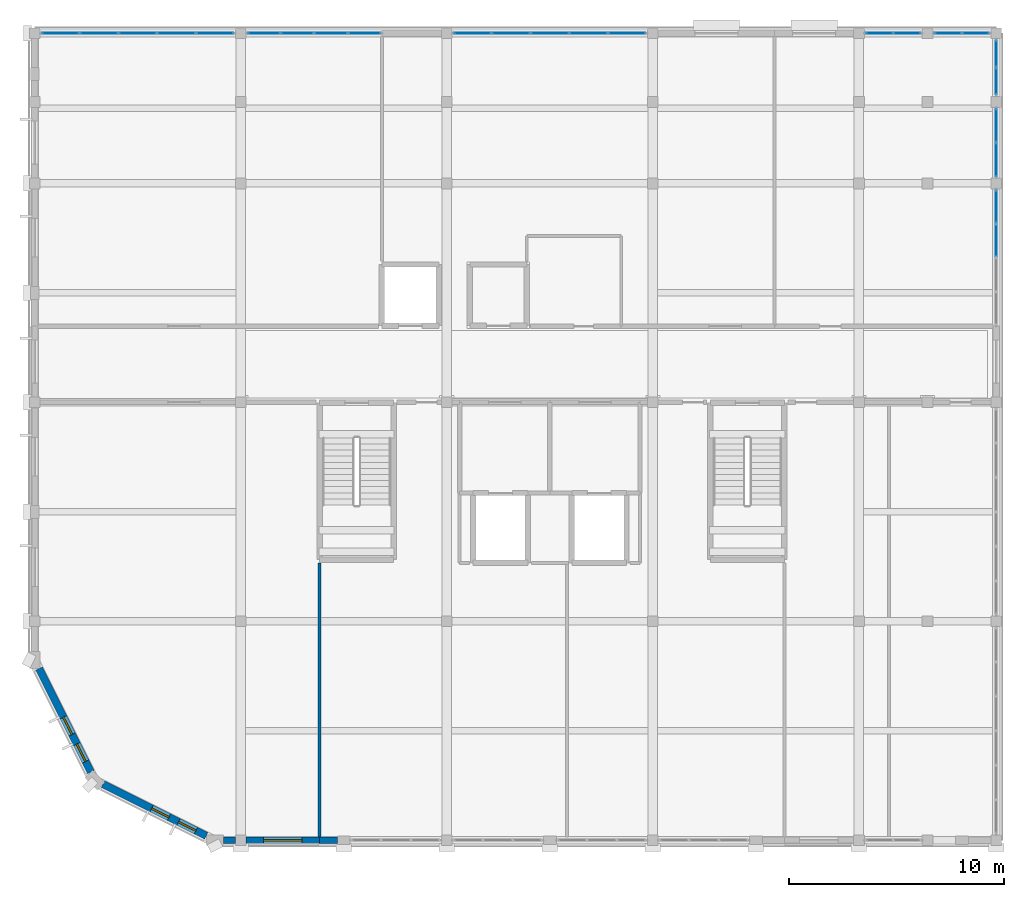
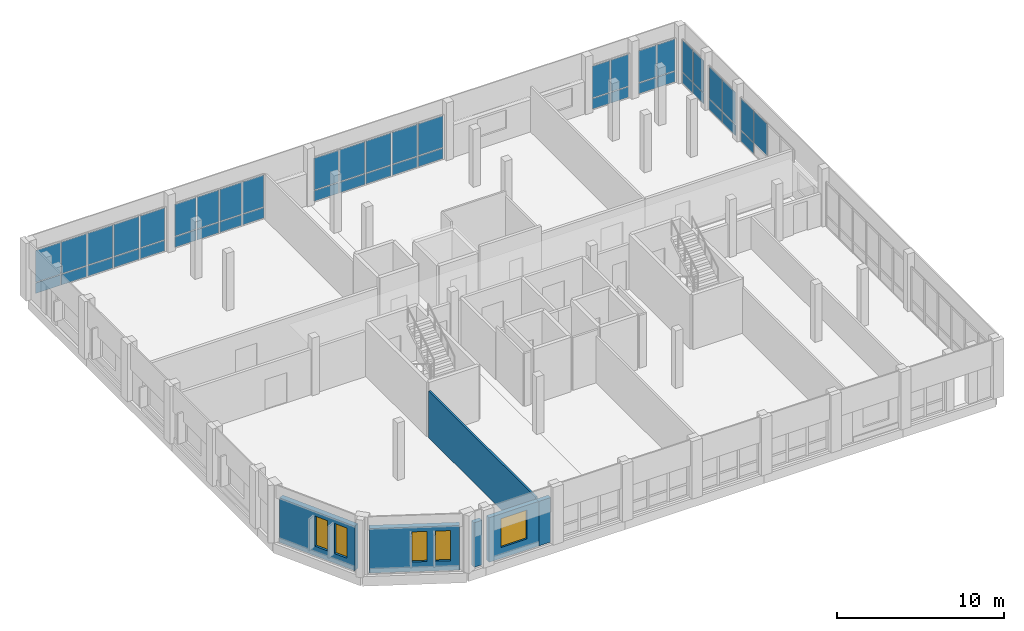
# One storey, part 20 of 29: 47 plates, 6 walls, 5 windows, 5 openings, 8 elements without a shape of their own.
"""IFC4 building model written with IfcOpenShell, lengths in metres."""

from ifc_helpers import new_model, si_unit, direction, frame, frame_2d, origin, origin_2d, place, context, subcontext, project, spatial, rectangle, extrude, material, layer, layer_set, type_object, element, fill, aggregate, save


model = new_model("IFC4")

# Units and contexts
model_context = context("Model", 3, precision=1e-05, world=origin(), true_north=direction((0.0, 1.0)))
body_context = subcontext(model_context, "Body", "Model", "MODEL_VIEW")
ifc_project = project(units=[si_unit("LENGTHUNIT", "METRE"), si_unit("AREAUNIT", "SQUARE_METRE"), si_unit("VOLUMEUNIT", "CUBIC_METRE"), si_unit("PLANEANGLEUNIT", "RADIAN"), si_unit("MASSUNIT", "GRAM", prefix="KILO")], contexts=[model_context])

# Site, building, storey
site_placement = place(None, origin())
site = spatial("IfcSite", under=ifc_project, at=site_placement, CompositionType="ELEMENT")
building_placement = place(site_placement, origin())
building = spatial("IfcBuilding", under=site, at=building_placement, Name="Vondelvale Polytechnic", CompositionType="ELEMENT")
storey_placement = place(building_placement, frame((0.0, 0.0, 26.39990234375)))
storey = spatial("IfcBuildingStorey", under=building, at=storey_placement, Name="L06", CompositionType="ELEMENT", Elevation=26.39990234375)

# Curtain wall, plates
ifc_material_1 = material(Name="Anodised extruded aluminium 6063-T6", Category="aluminium")
curtain_wall_type = type_object("IfcCurtainWallType", Name="CW-STUDIO-NORTH", PredefinedType="NOTDEFINED", material=ifc_material_1)
curtain_wall_1_placement = place(storey_placement, origin())
curtain_wall_1 = element("IfcCurtainWall", 1, at=curtain_wall_1_placement, inside=storey, type_object=curtain_wall_type, Name="L06 architectural curtain wall CW-01-050", PredefinedType="NOTDEFINED")
ifc_material_2 = material(Name="Double-glazed low-E insulated architectural glass", Category="glass")
ifc_layer_1 = layer(ifc_material_2, 0.028076171875)
ifc_layer_set_1 = layer_set([ifc_layer_1], Name="CW-PANEL-GLAZED")
plate_type_1 = type_object("IfcPlateType", Name="CW-PANEL-GLAZED", PredefinedType="CURTAIN_PANEL", material=ifc_layer_set_1)
plate_1_placement = place(storey_placement, frame((44.800048828125, 27.936767578125, 0.880126953125), z_axis=(0.0, 0.0, 1.0), x_axis=(0.0, 1.0, 0.0)))
plate_1 = element("IfcPlate", 2, at=plate_1_placement, type_object=plate_type_1, Name="CW-01-050 panel 3.2", PredefinedType="CURTAIN_PANEL", context=body_context, shape_type="SweptSolid", body=[
    extrude(rectangle(XDim=1.523681640625, YDim=0.028076171875, at=origin_2d()), origin(), (0.0, 0.0, 1.0), 2.31005859375),
])
plate_2_placement = place(storey_placement, frame((44.800048828125, 29.50927734375, 0.880126953125), z_axis=(0.0, 0.0, 1.0), x_axis=(0.0, 1.0, 0.0)))
plate_2 = element("IfcPlate", 3, at=plate_2_placement, type_object=plate_type_1, Name="CW-01-050 panel 4.2", PredefinedType="CURTAIN_PANEL", context=body_context, shape_type="SweptSolid", body=[
    extrude(rectangle(XDim=1.4912109375, YDim=0.028076171875, at=origin_2d()), origin(), (0.0, 0.0, 1.0), 2.31005859375),
])

curtain_wall_2_placement = place(storey_placement, origin())
curtain_wall_2 = element("IfcCurtainWall", 4, at=curtain_wall_2_placement, inside=storey, type_object=curtain_wall_type, Name="L06 architectural curtain wall CW-01-051", PredefinedType="NOTDEFINED")
plate_3_placement = place(storey_placement, frame((44.800048828125, 31.706298828125, 0.880126953125), z_axis=(0.0, 0.0, 1.0), x_axis=(0.0, 1.0, 0.0)))
plate_3 = element("IfcPlate", 5, at=plate_3_placement, type_object=plate_type_1, Name="CW-01-051 panel 1.2", PredefinedType="CURTAIN_PANEL", context=body_context, shape_type="SweptSolid", body=[
    extrude(rectangle(XDim=1.5224609375, YDim=0.028076171875, at=origin_2d()), origin(), (0.0, 0.0, 1.0), 2.31005859375),
])
plate_4_placement = place(storey_placement, frame((44.800048828125, 33.293701171875, 0.880126953125), z_axis=(0.0, 0.0, 1.0), x_axis=(0.0, 1.0, 0.0)))
plate_4 = element("IfcPlate", 6, at=plate_4_placement, type_object=plate_type_1, Name="CW-01-051 panel 2.2", PredefinedType="CURTAIN_PANEL", context=body_context, shape_type="SweptSolid", body=[
    extrude(rectangle(XDim=1.5224609375, YDim=0.028076171875, at=origin_2d()), origin(), (0.0, 0.0, 1.0), 2.31005859375),
])

curtain_wall_3_placement = place(storey_placement, origin())
curtain_wall_3 = element("IfcCurtainWall", 7, at=curtain_wall_3_placement, inside=storey, type_object=curtain_wall_type, Name="L06 architectural curtain wall CW-01-052", PredefinedType="NOTDEFINED")
plate_5_placement = place(storey_placement, frame((44.800048828125, 35.356201171875, 0.880126953125), z_axis=(0.0, 0.0, 1.0), x_axis=(0.0, 1.0, 0.0)))
plate_5 = element("IfcPlate", 8, at=plate_5_placement, type_object=plate_type_1, Name="CW-01-052 panel 1.2", PredefinedType="CURTAIN_PANEL", context=body_context, shape_type="SweptSolid", body=[
    extrude(rectangle(XDim=1.222412109375, YDim=0.028076171875, at=origin_2d()), origin(), (0.0, 0.0, 1.0), 2.31005859375),
])
plate_6_placement = place(storey_placement, frame((44.800048828125, 36.643798828125, 0.880126953125), z_axis=(0.0, 0.0, 1.0), x_axis=(0.0, 1.0, 0.0)))
plate_6 = element("IfcPlate", 9, at=plate_6_placement, type_object=plate_type_1, Name="CW-01-052 panel 2.2", PredefinedType="CURTAIN_PANEL", context=body_context, shape_type="SweptSolid", body=[
    extrude(rectangle(XDim=1.222412109375, YDim=0.028076171875, at=origin_2d()), origin(), (0.0, 0.0, 1.0), 2.31005859375),
])

curtain_wall_4_placement = place(storey_placement, origin())
curtain_wall_4 = element("IfcCurtainWall", 10, at=curtain_wall_4_placement, inside=storey, type_object=curtain_wall_type, Name="L06 architectural curtain wall CW-01-053", PredefinedType="NOTDEFINED")
plate_7_placement = place(storey_placement, frame((1.2001953125, 37.60009765625, 0.880126953125), z_axis=(0.0, 0.0, 1.0), x_axis=(1.0, 0.0, 0.0)))
plate_7 = element("IfcPlate", 11, at=plate_7_placement, type_object=plate_type_1, Name="CW-01-053 panel 1.2", PredefinedType="CURTAIN_PANEL", context=body_context, shape_type="SweptSolid", body=[
    extrude(rectangle(XDim=1.71044921875, YDim=0.028076171875, at=origin_2d()), origin(), (0.0, 0.0, 1.0), 2.31005859375),
])
plate_8_placement = place(storey_placement, frame((2.991943359375, 37.60009765625, 0.880126953125), z_axis=(0.0, 0.0, 1.0), x_axis=(1.0, 0.0, 0.0)))
plate_8 = element("IfcPlate", 12, at=plate_8_placement, type_object=plate_type_1, Name="CW-01-053 panel 2.2", PredefinedType="CURTAIN_PANEL", context=body_context, shape_type="SweptSolid", body=[
    extrude(rectangle(XDim=1.742919921875, YDim=0.028076171875, at=origin_2d()), origin(), (0.0, 0.0, 1.0), 2.31005859375),
])
plate_9_placement = place(storey_placement, frame((4.800048828125, 37.60009765625, 0.880126953125), z_axis=(0.0, 0.0, 1.0), x_axis=(1.0, 0.0, 0.0)))
plate_9 = element("IfcPlate", 13, at=plate_9_placement, type_object=plate_type_1, Name="CW-01-053 panel 3.2", PredefinedType="CURTAIN_PANEL", context=body_context, shape_type="SweptSolid", body=[
    extrude(rectangle(XDim=1.742919921875, YDim=0.028076171875, at=origin_2d()), origin(), (0.0, 0.0, 1.0), 2.31005859375),
])
plate_10_placement = place(storey_placement, frame((6.60791015625, 37.60009765625, 0.880126953125), z_axis=(0.0, 0.0, 1.0), x_axis=(1.0, 0.0, 0.0)))
plate_10 = element("IfcPlate", 14, at=plate_10_placement, type_object=plate_type_1, Name="CW-01-053 panel 4.2", PredefinedType="CURTAIN_PANEL", context=body_context, shape_type="SweptSolid", body=[
    extrude(rectangle(XDim=1.742919921875, YDim=0.028076171875, at=origin_2d()), origin(), (0.0, 0.0, 1.0), 2.31005859375),
])
plate_11_placement = place(storey_placement, frame((8.399658203125, 37.60009765625, 0.880126953125), z_axis=(0.0, 0.0, 1.0), x_axis=(1.0, 0.0, 0.0)))
plate_11 = element("IfcPlate", 15, at=plate_11_placement, type_object=plate_type_1, Name="CW-01-053 panel 5.2", PredefinedType="CURTAIN_PANEL", context=body_context, shape_type="SweptSolid", body=[
    extrude(rectangle(XDim=1.71044921875, YDim=0.028076171875, at=origin_2d()), origin(), (0.0, 0.0, 1.0), 2.31005859375),
])

curtain_wall_5_placement = place(storey_placement, origin())
curtain_wall_5 = element("IfcCurtainWall", 16, at=curtain_wall_5_placement, inside=storey, type_object=curtain_wall_type, Name="L06 architectural curtain wall CW-01-054", PredefinedType="NOTDEFINED")
plate_12_placement = place(storey_placement, frame((10.68115234375, 37.60009765625, 0.880126953125), z_axis=(0.0, 0.0, 1.0), x_axis=(1.0, 0.0, 0.0)))
plate_12 = element("IfcPlate", 17, at=plate_12_placement, type_object=plate_type_1, Name="CW-01-054 panel 1.2", PredefinedType="CURTAIN_PANEL", context=body_context, shape_type="SweptSolid", body=[
    extrude(rectangle(XDim=1.472412109375, YDim=0.028076171875, at=origin_2d()), origin(), (0.0, 0.0, 1.0), 2.31005859375),
])
plate_13_placement = place(storey_placement, frame((12.235107421875, 37.60009765625, 0.880126953125), z_axis=(0.0, 0.0, 1.0), x_axis=(1.0, 0.0, 0.0)))
plate_13 = element("IfcPlate", 18, at=plate_13_placement, type_object=plate_type_1, Name="CW-01-054 panel 2.2", PredefinedType="CURTAIN_PANEL", context=body_context, shape_type="SweptSolid", body=[
    extrude(rectangle(XDim=1.5048828125, YDim=0.028076171875, at=origin_2d()), origin(), (0.0, 0.0, 1.0), 2.31005859375),
])
plate_14_placement = place(storey_placement, frame((13.804931640625, 37.60009765625, 0.880126953125), z_axis=(0.0, 0.0, 1.0), x_axis=(1.0, 0.0, 0.0)))
plate_14 = element("IfcPlate", 19, at=plate_14_placement, type_object=plate_type_1, Name="CW-01-054 panel 3.2", PredefinedType="CURTAIN_PANEL", context=body_context, shape_type="SweptSolid", body=[
    extrude(rectangle(XDim=1.5048828125, YDim=0.028076171875, at=origin_2d()), origin(), (0.0, 0.0, 1.0), 2.31005859375),
])
plate_15_placement = place(storey_placement, frame((15.358642578125, 37.60009765625, 0.880126953125), z_axis=(0.0, 0.0, 1.0), x_axis=(1.0, 0.0, 0.0)))
plate_15 = element("IfcPlate", 20, at=plate_15_placement, type_object=plate_type_1, Name="CW-01-054 panel 4.2", PredefinedType="CURTAIN_PANEL", context=body_context, shape_type="SweptSolid", body=[
    extrude(rectangle(XDim=1.472412109375, YDim=0.028076171875, at=origin_2d()), origin(), (0.0, 0.0, 1.0), 2.31005859375),
])

curtain_wall_6_placement = place(storey_placement, origin())
curtain_wall_6 = element("IfcCurtainWall", 21, at=curtain_wall_6_placement, inside=storey, type_object=curtain_wall_type, Name="L06 architectural curtain wall CW-01-055", PredefinedType="NOTDEFINED")
plate_16_placement = place(storey_placement, frame((20.400146484375, 37.60009765625, 0.880126953125), z_axis=(0.0, 0.0, 1.0), x_axis=(1.0, 0.0, 0.0)))
plate_16 = element("IfcPlate", 22, at=plate_16_placement, type_object=plate_type_1, Name="CW-01-055 panel 1.2", PredefinedType="CURTAIN_PANEL", context=body_context, shape_type="SweptSolid", body=[
    extrude(rectangle(XDim=1.71044921875, YDim=0.028076171875, at=origin_2d()), origin(), (0.0, 0.0, 1.0), 2.31005859375),
])
plate_17_placement = place(storey_placement, frame((22.19189453125, 37.60009765625, 0.880126953125), z_axis=(0.0, 0.0, 1.0), x_axis=(1.0, 0.0, 0.0)))
plate_17 = element("IfcPlate", 23, at=plate_17_placement, type_object=plate_type_1, Name="CW-01-055 panel 2.2", PredefinedType="CURTAIN_PANEL", context=body_context, shape_type="SweptSolid", body=[
    extrude(rectangle(XDim=1.742919921875, YDim=0.028076171875, at=origin_2d()), origin(), (0.0, 0.0, 1.0), 2.31005859375),
])
plate_18_placement = place(storey_placement, frame((24.0, 37.60009765625, 0.880126953125), z_axis=(0.0, 0.0, 1.0), x_axis=(1.0, 0.0, 0.0)))
plate_18 = element("IfcPlate", 24, at=plate_18_placement, type_object=plate_type_1, Name="CW-01-055 panel 3.2", PredefinedType="CURTAIN_PANEL", context=body_context, shape_type="SweptSolid", body=[
    extrude(rectangle(XDim=1.742919921875, YDim=0.028076171875, at=origin_2d()), origin(), (0.0, 0.0, 1.0), 2.31005859375),
])
plate_19_placement = place(storey_placement, frame((25.80810546875, 37.60009765625, 0.880126953125), z_axis=(0.0, 0.0, 1.0), x_axis=(1.0, 0.0, 0.0)))
plate_19 = element("IfcPlate", 25, at=plate_19_placement, type_object=plate_type_1, Name="CW-01-055 panel 4.2", PredefinedType="CURTAIN_PANEL", context=body_context, shape_type="SweptSolid", body=[
    extrude(rectangle(XDim=1.742919921875, YDim=0.028076171875, at=origin_2d()), origin(), (0.0, 0.0, 1.0), 2.31005859375),
])
plate_20_placement = place(storey_placement, frame((27.599853515625, 37.60009765625, 0.880126953125), z_axis=(0.0, 0.0, 1.0), x_axis=(1.0, 0.0, 0.0)))
plate_20 = element("IfcPlate", 26, at=plate_20_placement, type_object=plate_type_1, Name="CW-01-055 panel 5.2", PredefinedType="CURTAIN_PANEL", context=body_context, shape_type="SweptSolid", body=[
    extrude(rectangle(XDim=1.71044921875, YDim=0.028076171875, at=origin_2d()), origin(), (0.0, 0.0, 1.0), 2.31005859375),
])

curtain_wall_7_placement = place(storey_placement, origin())
curtain_wall_7 = element("IfcCurtainWall", 27, at=curtain_wall_7_placement, inside=storey, type_object=curtain_wall_type, Name="L06 architectural curtain wall CW-01-056", PredefinedType="NOTDEFINED")
plate_21_placement = place(storey_placement, frame((39.356201171875, 37.60009765625, 0.880126953125), z_axis=(0.0, 0.0, 1.0), x_axis=(1.0, 0.0, 0.0)))
plate_21 = element("IfcPlate", 28, at=plate_21_placement, type_object=plate_type_1, Name="CW-01-056 panel 1.2", PredefinedType="CURTAIN_PANEL", context=body_context, shape_type="SweptSolid", body=[
    extrude(rectangle(XDim=1.222412109375, YDim=0.028076171875, at=origin_2d()), origin(), (0.0, 0.0, 1.0), 2.31005859375),
])
plate_22_placement = place(storey_placement, frame((40.643798828125, 37.60009765625, 0.880126953125), z_axis=(0.0, 0.0, 1.0), x_axis=(1.0, 0.0, 0.0)))
plate_22 = element("IfcPlate", 29, at=plate_22_placement, type_object=plate_type_1, Name="CW-01-056 panel 2.2", PredefinedType="CURTAIN_PANEL", context=body_context, shape_type="SweptSolid", body=[
    extrude(rectangle(XDim=1.222412109375, YDim=0.028076171875, at=origin_2d()), origin(), (0.0, 0.0, 1.0), 2.31005859375),
])

curtain_wall_8_placement = place(storey_placement, origin())
curtain_wall_8 = element("IfcCurtainWall", 30, at=curtain_wall_8_placement, inside=storey, type_object=curtain_wall_type, Name="L06 architectural curtain wall CW-01-057", PredefinedType="NOTDEFINED")
plate_23_placement = place(storey_placement, frame((42.55615234375, 37.60009765625, 0.880126953125), z_axis=(0.0, 0.0, 1.0), x_axis=(1.0, 0.0, 0.0)))
plate_23 = element("IfcPlate", 31, at=plate_23_placement, type_object=plate_type_1, Name="CW-01-057 panel 1.2", PredefinedType="CURTAIN_PANEL", context=body_context, shape_type="SweptSolid", body=[
    extrude(rectangle(XDim=1.222412109375, YDim=0.028076171875, at=origin_2d()), origin(), (0.0, 0.0, 1.0), 2.31005859375),
])
plate_24_placement = place(storey_placement, frame((43.84375, 37.60009765625, 0.880126953125), z_axis=(0.0, 0.0, 1.0), x_axis=(1.0, 0.0, 0.0)))
plate_24 = element("IfcPlate", 32, at=plate_24_placement, type_object=plate_type_1, Name="CW-01-057 panel 2.2", PredefinedType="CURTAIN_PANEL", context=body_context, shape_type="SweptSolid", body=[
    extrude(rectangle(XDim=1.222412109375, YDim=0.028076171875, at=origin_2d()), origin(), (0.0, 0.0, 1.0), 2.31005859375),
])

# Plate
ifc_material_3 = material(Name="Kiln-fired architectural terracotta", Category="masonry")
ifc_layer_2 = layer(ifc_material_3, 0.035888671875)
ifc_layer_set_2 = layer_set([ifc_layer_2], Name="CW-PANEL-SPANDREL")
plate_type_2 = type_object("IfcPlateType", Name="CW-PANEL-SPANDREL", PredefinedType="CURTAIN_PANEL", material=ifc_layer_set_2)
plate_25_placement = place(storey_placement, frame((44.800048828125, 29.50927734375, 0.06005859375), z_axis=(0.0, 0.0, 1.0), x_axis=(0.0, 1.0, 0.0)))
plate_25 = element("IfcPlate", 33, at=plate_25_placement, type_object=plate_type_2, Name="CW-01-050 panel 4.1", PredefinedType="CURTAIN_PANEL", context=body_context, shape_type="SweptSolid", body=[
    extrude(rectangle(XDim=1.4912109375, YDim=0.035888671875, at=origin_2d()), origin(), (0.0, 0.0, 1.0), 0.760009765625),
])

aggregate(curtain_wall_1, [plate_1, plate_25, plate_2])

plate_26_placement = place(storey_placement, frame((44.800048828125, 31.706298828125, 0.06005859375), z_axis=(0.0, 0.0, 1.0), x_axis=(0.0, 1.0, 0.0)))
plate_26 = element("IfcPlate", 34, at=plate_26_placement, type_object=plate_type_2, Name="CW-01-051 panel 1.1", PredefinedType="CURTAIN_PANEL", context=body_context, shape_type="SweptSolid", body=[
    extrude(rectangle(XDim=1.5224609375, YDim=0.035888671875, at=origin_2d()), origin(), (0.0, 0.0, 1.0), 0.760009765625),
])

plate_27_placement = place(storey_placement, frame((44.800048828125, 33.293701171875, 0.06005859375), z_axis=(0.0, 0.0, 1.0), x_axis=(0.0, 1.0, 0.0)))
plate_27 = element("IfcPlate", 35, at=plate_27_placement, type_object=plate_type_2, Name="CW-01-051 panel 2.1", PredefinedType="CURTAIN_PANEL", context=body_context, shape_type="SweptSolid", body=[
    extrude(rectangle(XDim=1.5224609375, YDim=0.035888671875, at=origin_2d()), origin(), (0.0, 0.0, 1.0), 0.760009765625),
])

aggregate(curtain_wall_2, [plate_26, plate_3, plate_27, plate_4])

plate_28_placement = place(storey_placement, frame((44.800048828125, 35.356201171875, 0.06005859375), z_axis=(0.0, 0.0, 1.0), x_axis=(0.0, 1.0, 0.0)))
plate_28 = element("IfcPlate", 36, at=plate_28_placement, type_object=plate_type_2, Name="CW-01-052 panel 1.1", PredefinedType="CURTAIN_PANEL", context=body_context, shape_type="SweptSolid", body=[
    extrude(rectangle(XDim=1.222412109375, YDim=0.035888671875, at=origin_2d()), origin(), (0.0, 0.0, 1.0), 0.760009765625),
])

plate_29_placement = place(storey_placement, frame((44.800048828125, 36.643798828125, 0.06005859375), z_axis=(0.0, 0.0, 1.0), x_axis=(0.0, 1.0, 0.0)))
plate_29 = element("IfcPlate", 37, at=plate_29_placement, type_object=plate_type_2, Name="CW-01-052 panel 2.1", PredefinedType="CURTAIN_PANEL", context=body_context, shape_type="SweptSolid", body=[
    extrude(rectangle(XDim=1.222412109375, YDim=0.035888671875, at=origin_2d()), origin(), (0.0, 0.0, 1.0), 0.760009765625),
])

aggregate(curtain_wall_3, [plate_28, plate_5, plate_29, plate_6])

plate_30_placement = place(storey_placement, frame((1.2001953125, 37.60009765625, 0.06005859375), z_axis=(0.0, 0.0, 1.0), x_axis=(1.0, 0.0, 0.0)))
plate_30 = element("IfcPlate", 38, at=plate_30_placement, type_object=plate_type_2, Name="CW-01-053 panel 1.1", PredefinedType="CURTAIN_PANEL", context=body_context, shape_type="SweptSolid", body=[
    extrude(rectangle(XDim=1.71044921875, YDim=0.035888671875, at=origin_2d()), origin(), (0.0, 0.0, 1.0), 0.760009765625),
])

plate_31_placement = place(storey_placement, frame((2.991943359375, 37.60009765625, 0.06005859375), z_axis=(0.0, 0.0, 1.0), x_axis=(1.0, 0.0, 0.0)))
plate_31 = element("IfcPlate", 39, at=plate_31_placement, type_object=plate_type_2, Name="CW-01-053 panel 2.1", PredefinedType="CURTAIN_PANEL", context=body_context, shape_type="SweptSolid", body=[
    extrude(rectangle(XDim=1.742919921875, YDim=0.035888671875, at=origin_2d()), origin(), (0.0, 0.0, 1.0), 0.760009765625),
])

plate_32_placement = place(storey_placement, frame((4.800048828125, 37.60009765625, 0.06005859375), z_axis=(0.0, 0.0, 1.0), x_axis=(1.0, 0.0, 0.0)))
plate_32 = element("IfcPlate", 40, at=plate_32_placement, type_object=plate_type_2, Name="CW-01-053 panel 3.1", PredefinedType="CURTAIN_PANEL", context=body_context, shape_type="SweptSolid", body=[
    extrude(rectangle(XDim=1.742919921875, YDim=0.035888671875, at=origin_2d()), origin(), (0.0, 0.0, 1.0), 0.760009765625),
])

plate_33_placement = place(storey_placement, frame((6.60791015625, 37.60009765625, 0.06005859375), z_axis=(0.0, 0.0, 1.0), x_axis=(1.0, 0.0, 0.0)))
plate_33 = element("IfcPlate", 41, at=plate_33_placement, type_object=plate_type_2, Name="CW-01-053 panel 4.1", PredefinedType="CURTAIN_PANEL", context=body_context, shape_type="SweptSolid", body=[
    extrude(rectangle(XDim=1.742919921875, YDim=0.035888671875, at=origin_2d()), origin(), (0.0, 0.0, 1.0), 0.760009765625),
])

plate_34_placement = place(storey_placement, frame((8.399658203125, 37.60009765625, 0.06005859375), z_axis=(0.0, 0.0, 1.0), x_axis=(1.0, 0.0, 0.0)))
plate_34 = element("IfcPlate", 42, at=plate_34_placement, type_object=plate_type_2, Name="CW-01-053 panel 5.1", PredefinedType="CURTAIN_PANEL", context=body_context, shape_type="SweptSolid", body=[
    extrude(rectangle(XDim=1.71044921875, YDim=0.035888671875, at=origin_2d()), origin(), (0.0, 0.0, 1.0), 0.760009765625),
])

aggregate(curtain_wall_4, [plate_30, plate_7, plate_31, plate_8, plate_32, plate_9, plate_33, plate_10, plate_34, plate_11])

plate_35_placement = place(storey_placement, frame((10.68115234375, 37.60009765625, 0.06005859375), z_axis=(0.0, 0.0, 1.0), x_axis=(1.0, 0.0, 0.0)))
plate_35 = element("IfcPlate", 43, at=plate_35_placement, type_object=plate_type_2, Name="CW-01-054 panel 1.1", PredefinedType="CURTAIN_PANEL", context=body_context, shape_type="SweptSolid", body=[
    extrude(rectangle(XDim=1.472412109375, YDim=0.035888671875, at=origin_2d()), origin(), (0.0, 0.0, 1.0), 0.760009765625),
])

plate_36_placement = place(storey_placement, frame((12.235107421875, 37.60009765625, 0.06005859375), z_axis=(0.0, 0.0, 1.0), x_axis=(1.0, 0.0, 0.0)))
plate_36 = element("IfcPlate", 44, at=plate_36_placement, type_object=plate_type_2, Name="CW-01-054 panel 2.1", PredefinedType="CURTAIN_PANEL", context=body_context, shape_type="SweptSolid", body=[
    extrude(rectangle(XDim=1.5048828125, YDim=0.035888671875, at=origin_2d()), origin(), (0.0, 0.0, 1.0), 0.760009765625),
])

plate_37_placement = place(storey_placement, frame((13.804931640625, 37.60009765625, 0.06005859375), z_axis=(0.0, 0.0, 1.0), x_axis=(1.0, 0.0, 0.0)))
plate_37 = element("IfcPlate", 45, at=plate_37_placement, type_object=plate_type_2, Name="CW-01-054 panel 3.1", PredefinedType="CURTAIN_PANEL", context=body_context, shape_type="SweptSolid", body=[
    extrude(rectangle(XDim=1.5048828125, YDim=0.035888671875, at=origin_2d()), origin(), (0.0, 0.0, 1.0), 0.760009765625),
])

plate_38_placement = place(storey_placement, frame((15.358642578125, 37.60009765625, 0.06005859375), z_axis=(0.0, 0.0, 1.0), x_axis=(1.0, 0.0, 0.0)))
plate_38 = element("IfcPlate", 46, at=plate_38_placement, type_object=plate_type_2, Name="CW-01-054 panel 4.1", PredefinedType="CURTAIN_PANEL", context=body_context, shape_type="SweptSolid", body=[
    extrude(rectangle(XDim=1.472412109375, YDim=0.035888671875, at=origin_2d()), origin(), (0.0, 0.0, 1.0), 0.760009765625),
])

aggregate(curtain_wall_5, [plate_35, plate_12, plate_36, plate_13, plate_37, plate_14, plate_38, plate_15])

plate_39_placement = place(storey_placement, frame((20.400146484375, 37.60009765625, 0.06005859375), z_axis=(0.0, 0.0, 1.0), x_axis=(1.0, 0.0, 0.0)))
plate_39 = element("IfcPlate", 47, at=plate_39_placement, type_object=plate_type_2, Name="CW-01-055 panel 1.1", PredefinedType="CURTAIN_PANEL", context=body_context, shape_type="SweptSolid", body=[
    extrude(rectangle(XDim=1.71044921875, YDim=0.035888671875, at=origin_2d()), origin(), (0.0, 0.0, 1.0), 0.760009765625),
])

plate_40_placement = place(storey_placement, frame((22.19189453125, 37.60009765625, 0.06005859375), z_axis=(0.0, 0.0, 1.0), x_axis=(1.0, 0.0, 0.0)))
plate_40 = element("IfcPlate", 48, at=plate_40_placement, type_object=plate_type_2, Name="CW-01-055 panel 2.1", PredefinedType="CURTAIN_PANEL", context=body_context, shape_type="SweptSolid", body=[
    extrude(rectangle(XDim=1.742919921875, YDim=0.035888671875, at=origin_2d()), origin(), (0.0, 0.0, 1.0), 0.760009765625),
])

plate_41_placement = place(storey_placement, frame((24.0, 37.60009765625, 0.06005859375), z_axis=(0.0, 0.0, 1.0), x_axis=(1.0, 0.0, 0.0)))
plate_41 = element("IfcPlate", 49, at=plate_41_placement, type_object=plate_type_2, Name="CW-01-055 panel 3.1", PredefinedType="CURTAIN_PANEL", context=body_context, shape_type="SweptSolid", body=[
    extrude(rectangle(XDim=1.742919921875, YDim=0.035888671875, at=origin_2d()), origin(), (0.0, 0.0, 1.0), 0.760009765625),
])

plate_42_placement = place(storey_placement, frame((25.80810546875, 37.60009765625, 0.06005859375), z_axis=(0.0, 0.0, 1.0), x_axis=(1.0, 0.0, 0.0)))
plate_42 = element("IfcPlate", 50, at=plate_42_placement, type_object=plate_type_2, Name="CW-01-055 panel 4.1", PredefinedType="CURTAIN_PANEL", context=body_context, shape_type="SweptSolid", body=[
    extrude(rectangle(XDim=1.742919921875, YDim=0.035888671875, at=origin_2d()), origin(), (0.0, 0.0, 1.0), 0.760009765625),
])

plate_43_placement = place(storey_placement, frame((27.599853515625, 37.60009765625, 0.06005859375), z_axis=(0.0, 0.0, 1.0), x_axis=(1.0, 0.0, 0.0)))
plate_43 = element("IfcPlate", 51, at=plate_43_placement, type_object=plate_type_2, Name="CW-01-055 panel 5.1", PredefinedType="CURTAIN_PANEL", context=body_context, shape_type="SweptSolid", body=[
    extrude(rectangle(XDim=1.71044921875, YDim=0.035888671875, at=origin_2d()), origin(), (0.0, 0.0, 1.0), 0.760009765625),
])

aggregate(curtain_wall_6, [plate_39, plate_16, plate_40, plate_17, plate_41, plate_18, plate_42, plate_19, plate_43, plate_20])

plate_44_placement = place(storey_placement, frame((39.356201171875, 37.60009765625, 0.06005859375), z_axis=(0.0, 0.0, 1.0), x_axis=(1.0, 0.0, 0.0)))
plate_44 = element("IfcPlate", 52, at=plate_44_placement, type_object=plate_type_2, Name="CW-01-056 panel 1.1", PredefinedType="CURTAIN_PANEL", context=body_context, shape_type="SweptSolid", body=[
    extrude(rectangle(XDim=1.222412109375, YDim=0.035888671875, at=origin_2d()), origin(), (0.0, 0.0, 1.0), 0.760009765625),
])

plate_45_placement = place(storey_placement, frame((40.643798828125, 37.60009765625, 0.06005859375), z_axis=(0.0, 0.0, 1.0), x_axis=(1.0, 0.0, 0.0)))
plate_45 = element("IfcPlate", 53, at=plate_45_placement, type_object=plate_type_2, Name="CW-01-056 panel 2.1", PredefinedType="CURTAIN_PANEL", context=body_context, shape_type="SweptSolid", body=[
    extrude(rectangle(XDim=1.222412109375, YDim=0.035888671875, at=origin_2d()), origin(), (0.0, 0.0, 1.0), 0.760009765625),
])

aggregate(curtain_wall_7, [plate_44, plate_21, plate_45, plate_22])

plate_46_placement = place(storey_placement, frame((42.55615234375, 37.60009765625, 0.06005859375), z_axis=(0.0, 0.0, 1.0), x_axis=(1.0, 0.0, 0.0)))
plate_46 = element("IfcPlate", 54, at=plate_46_placement, type_object=plate_type_2, Name="CW-01-057 panel 1.1", PredefinedType="CURTAIN_PANEL", context=body_context, shape_type="SweptSolid", body=[
    extrude(rectangle(XDim=1.222412109375, YDim=0.035888671875, at=origin_2d()), origin(), (0.0, 0.0, 1.0), 0.760009765625),
])

plate_47_placement = place(storey_placement, frame((43.84375, 37.60009765625, 0.06005859375), z_axis=(0.0, 0.0, 1.0), x_axis=(1.0, 0.0, 0.0)))
plate_47 = element("IfcPlate", 55, at=plate_47_placement, type_object=plate_type_2, Name="CW-01-057 panel 2.1", PredefinedType="CURTAIN_PANEL", context=body_context, shape_type="SweptSolid", body=[
    extrude(rectangle(XDim=1.222412109375, YDim=0.035888671875, at=origin_2d()), origin(), (0.0, 0.0, 1.0), 0.760009765625),
])

aggregate(curtain_wall_8, [plate_46, plate_23, plate_47, plate_24])

# Wall
ifc_material_4 = material(Name="Amsterdam School iron-spot clinker clay brickwork", Category="masonry")
ifc_layer_3 = layer(ifc_material_4, 0.300048828125)
ifc_layer_set_3 = layer_set([ifc_layer_3], Name="WL-BRICK-300")
wall_type_1 = type_object("IfcWallType", Name="WL-BRICK-300", PredefinedType="SOLIDWALL", material=ifc_layer_set_3)
wall_1_placement = place(storey_placement, frame((9.34912109375, 0.0, 0.0), z_axis=(0.0, 0.0, 1.0), x_axis=(-1.0, 0.0, 0.0)))
element("IfcWall", 56, at=wall_1_placement, inside=storey, type_object=wall_type_1, Name="L06 exterior masonry facade wall", PredefinedType="SOLIDWALL", context=body_context, shape_type="SweptSolid", body=[
    extrude(rectangle(XDim=0.548095703125, YDim=0.300048828125, at=frame_2d((0.27392578125, 0.0))), origin(), (0.0, 0.0, 1.0), 3.25),
])

# Wall, opening, window
wall_2_placement = place(storey_placement, frame((13.27490234375, 0.0, 0.0), z_axis=(0.0, 0.0, 1.0), x_axis=(-1.0, 0.0, 0.0)))
wall_2 = element("IfcWall", 57, at=wall_2_placement, inside=storey, type_object=wall_type_1, Name="L06 exterior masonry facade wall", PredefinedType="SOLIDWALL", context=body_context, shape_type="SweptSolid", body=[
    extrude(rectangle(XDim=3.423828125, YDim=0.300048828125, at=frame_2d((1.7119140625, 0.0))), origin(), (0.0, 0.0, 1.0), 3.25),
])
opening_1_placement = place(wall_2_placement, frame((0.81201171875, 0.0, 0.800048828125)))
opening_1 = element("IfcOpeningElement", 58, at=opening_1_placement, cuts=wall_2, Name="Opening WN-0280", PredefinedType="OPENING", context=body_context, shape_type="SweptSolid", body=[
    extrude(rectangle(XDim=1.800048828125, YDim=2.10009765625, at=frame_2d((0.89990234375, 1.050048828125))), frame((0.0, 0.159912109375, 0.0), z_axis=(0.0, -1.0, 0.0), x_axis=(1.0, 0.0, 0.0)), (0.0, 0.0, 1.0), 0.320068359375),
])
window_type_1 = type_object("IfcWindowType", Name="WN-LAB-1800x2100", PartitioningType="SINGLE_PANEL", PredefinedType="WINDOW", material=ifc_material_2)
window_1_placement = place(opening_1_placement, origin())
window_1 = element("IfcWindow", 59, at=window_1_placement, inside=storey, type_object=window_type_1, Name="L06 double-glazed architectural window WN-0280", OverallHeight=2.10009765625, OverallWidth=1.800048828125, PartitioningType="SINGLE_PANEL", PredefinedType="WINDOW", context=body_context, shape_type="SweptSolid", body=[
    extrude(rectangle(XDim=1.800048828125, YDim=2.10009765625, at=frame_2d((0.89990234375, 1.050048828125))), frame((0.0, 0.030029296875, 0.0), z_axis=(0.0, -1.0, 0.0), x_axis=(1.0, 0.0, 0.0)), (0.0, 0.0, 1.0), 0.06005859375),
])
fill(opening_1, window_1)

# Wall
wall_3_placement = place(storey_placement, frame((14.09912109375, 0.0, 0.0), z_axis=(0.0, 0.0, 1.0), x_axis=(-1.0, 0.0, 0.0)))
element("IfcWall", 60, at=wall_3_placement, inside=storey, type_object=wall_type_1, Name="L06 exterior masonry facade wall", PredefinedType="SOLIDWALL", context=body_context, shape_type="SweptSolid", body=[
    extrude(rectangle(XDim=0.82421875, YDim=0.300048828125, at=frame_2d((0.412109375, 0.0))), origin(), (0.0, 0.0, 1.0), 3.25),
])

# Wall, openings, windows
ifc_layer_4 = layer(ifc_material_4, 0.35009765625)
ifc_layer_set_4 = layer_set([ifc_layer_4], Name="WL-BRICK-350")
wall_type_2 = type_object("IfcWallType", Name="WL-BRICK-350", PredefinedType="SOLIDWALL", material=ifc_layer_set_4)
wall_4_placement = place(storey_placement, frame((7.9990234375, 0.200439453125, 0.0), z_axis=(0.0, 0.0, 1.0), x_axis=(-0.894418132042, 0.447231712958, 0.0)))
wall_4 = element("IfcWall", 61, at=wall_4_placement, inside=storey, type_object=wall_type_2, Name="L06 exterior masonry facade wall", PredefinedType="SOLIDWALL", context=body_context, shape_type="SweptSolid", body=[
    extrude(rectangle(XDim=5.39013671875, YDim=0.35009765625, at=frame_2d((2.695068359375, 0.0))), origin(), (0.0, 0.0, 1.0), 3.25),
])
opening_2_placement = place(wall_4_placement, frame((0.550048828125, 0.0, 0.699951171875)))
opening_2 = element("IfcOpeningElement", 62, at=opening_2_placement, cuts=wall_4, Name="Opening WN-0276", PredefinedType="OPENING", context=body_context, shape_type="SweptSolid", body=[
    extrude(rectangle(XDim=0.89990234375, YDim=2.199951171875, at=frame_2d((0.449951171875, 1.10009765625))), frame((0.0, 0.18505859375, 0.0), z_axis=(0.0, -1.0, 0.0), x_axis=(1.0, 0.0, 0.0)), (0.0, 0.0, 1.0), 0.3701171875),
])
opening_3_placement = place(wall_4_placement, frame((1.949951171875, 0.0, 0.699951171875)))
opening_3 = element("IfcOpeningElement", 63, at=opening_3_placement, cuts=wall_4, Name="Opening WN-0277", PredefinedType="OPENING", context=body_context, shape_type="SweptSolid", body=[
    extrude(rectangle(XDim=0.89990234375, YDim=2.199951171875, at=frame_2d((0.449951171875, 1.10009765625))), frame((0.0, 0.18505859375, 0.0), z_axis=(0.0, -1.0, 0.0), x_axis=(1.0, 0.0, 0.0)), (0.0, 0.0, 1.0), 0.3701171875),
])
window_type_2 = type_object("IfcWindowType", Name="WN-TUR-0900x2200", PartitioningType="SINGLE_PANEL", PredefinedType="WINDOW", material=ifc_material_2)
window_2_placement = place(opening_2_placement, origin())
window_2 = element("IfcWindow", 64, at=window_2_placement, inside=storey, type_object=window_type_2, Name="L06 double-glazed architectural window WN-0276", OverallHeight=2.199951171875, OverallWidth=0.89990234375, PartitioningType="SINGLE_PANEL", PredefinedType="WINDOW", context=body_context, shape_type="SweptSolid", body=[
    extrude(rectangle(XDim=0.89990234375, YDim=2.199951171875, at=frame_2d((0.449951171875, 1.10009765625))), frame((0.0, 0.030029296875, 0.0), z_axis=(0.0, -1.0, 0.0), x_axis=(1.0, 0.0, 0.0)), (0.0, 0.0, 1.0), 0.06005859375),
])
fill(opening_2, window_2)
window_3_placement = place(opening_3_placement, origin())
window_3 = element("IfcWindow", 65, at=window_3_placement, inside=storey, type_object=window_type_2, Name="L06 double-glazed architectural window WN-0277", OverallHeight=2.199951171875, OverallWidth=0.89990234375, PartitioningType="SINGLE_PANEL", PredefinedType="WINDOW", context=body_context, shape_type="SweptSolid", body=[
    extrude(rectangle(XDim=0.89990234375, YDim=2.199951171875, at=frame_2d((0.449951171875, 1.10009765625))), frame((0.0, 0.030029296875, 0.0), z_axis=(0.0, -1.0, 0.0), x_axis=(1.0, 0.0, 0.0)), (0.0, 0.0, 1.0), 0.06005859375),
])
fill(opening_3, window_3)

wall_5_placement = place(storey_placement, frame((2.611083984375, 3.177978515625, 0.0), z_axis=(0.0, 0.0, 1.0), x_axis=(-0.447231712958, 0.894418132042, 0.0)))
wall_5 = element("IfcWall", 66, at=wall_5_placement, inside=storey, type_object=wall_type_2, Name="L06 exterior masonry facade wall", PredefinedType="SOLIDWALL", context=body_context, shape_type="SweptSolid", body=[
    extrude(rectangle(XDim=5.39013671875, YDim=0.35009765625, at=frame_2d((2.695068359375, 0.0))), origin(), (0.0, 0.0, 1.0), 3.25),
])
opening_4_placement = place(wall_5_placement, frame((0.550048828125, 0.0, 0.699951171875)))
opening_4 = element("IfcOpeningElement", 67, at=opening_4_placement, cuts=wall_5, Name="Opening WN-0278", PredefinedType="OPENING", context=body_context, shape_type="SweptSolid", body=[
    extrude(rectangle(XDim=0.89990234375, YDim=2.199951171875, at=frame_2d((0.449951171875, 1.10009765625))), frame((0.0, 0.18505859375, 0.0), z_axis=(0.0, -1.0, 0.0), x_axis=(1.0, 0.0, 0.0)), (0.0, 0.0, 1.0), 0.3701171875),
])
opening_5_placement = place(wall_5_placement, frame((1.949951171875, 0.0, 0.699951171875)))
opening_5 = element("IfcOpeningElement", 68, at=opening_5_placement, cuts=wall_5, Name="Opening WN-0279", PredefinedType="OPENING", context=body_context, shape_type="SweptSolid", body=[
    extrude(rectangle(XDim=0.89990234375, YDim=2.199951171875, at=frame_2d((0.449951171875, 1.10009765625))), frame((0.0, 0.18505859375, 0.0), z_axis=(0.0, -1.0, 0.0), x_axis=(1.0, 0.0, 0.0)), (0.0, 0.0, 1.0), 0.3701171875),
])
window_4_placement = place(opening_4_placement, origin())
window_4 = element("IfcWindow", 69, at=window_4_placement, inside=storey, type_object=window_type_2, Name="L06 double-glazed architectural window WN-0278", OverallHeight=2.199951171875, OverallWidth=0.89990234375, PartitioningType="SINGLE_PANEL", PredefinedType="WINDOW", context=body_context, shape_type="SweptSolid", body=[
    extrude(rectangle(XDim=0.89990234375, YDim=2.199951171875, at=frame_2d((0.449951171875, 1.10009765625))), frame((0.0, 0.030029296875, 0.0), z_axis=(0.0, -1.0, 0.0), x_axis=(1.0, 0.0, 0.0)), (0.0, 0.0, 1.0), 0.06005859375),
])
fill(opening_4, window_4)
window_5_placement = place(opening_5_placement, origin())
window_5 = element("IfcWindow", 70, at=window_5_placement, inside=storey, type_object=window_type_2, Name="L06 double-glazed architectural window WN-0279", OverallHeight=2.199951171875, OverallWidth=0.89990234375, PartitioningType="SINGLE_PANEL", PredefinedType="WINDOW", context=body_context, shape_type="SweptSolid", body=[
    extrude(rectangle(XDim=0.89990234375, YDim=2.199951171875, at=frame_2d((0.449951171875, 1.10009765625))), frame((0.0, 0.030029296875, 0.0), z_axis=(0.0, -1.0, 0.0), x_axis=(1.0, 0.0, 0.0)), (0.0, 0.0, 1.0), 0.06005859375),
])
fill(opening_5, window_5)

# Wall
ifc_material_5 = material(Name="Fire-rated double-layer plasterboard stud partition")
ifc_layer_5 = layer(ifc_material_5, 0.135009765625)
ifc_layer_set_5 = layer_set([ifc_layer_5], Name="WL-INT-135")
wall_type_3 = type_object("IfcWallType", Name="WL-INT-135", PredefinedType="PARTITIONING", material=ifc_layer_set_5)
wall_6_placement = place(storey_placement, frame((13.27490234375, 0.14990234375, 0.0), z_axis=(0.0, 0.0, 1.0), x_axis=(0.0, 1.0, 0.0)))
element("IfcWall", 71, at=wall_6_placement, inside=storey, type_object=wall_type_3, Name="L06 interior acoustic partition", PredefinedType="PARTITIONING", context=body_context, shape_type="SweptSolid", body=[
    extrude(rectangle(XDim=12.760009765625, YDim=0.135009765625, at=frame_2d((6.3798828125, 0.0))), origin(), (0.0, 0.0, 1.0), 3.405029296875),
])

save(model, "model.ifc")
